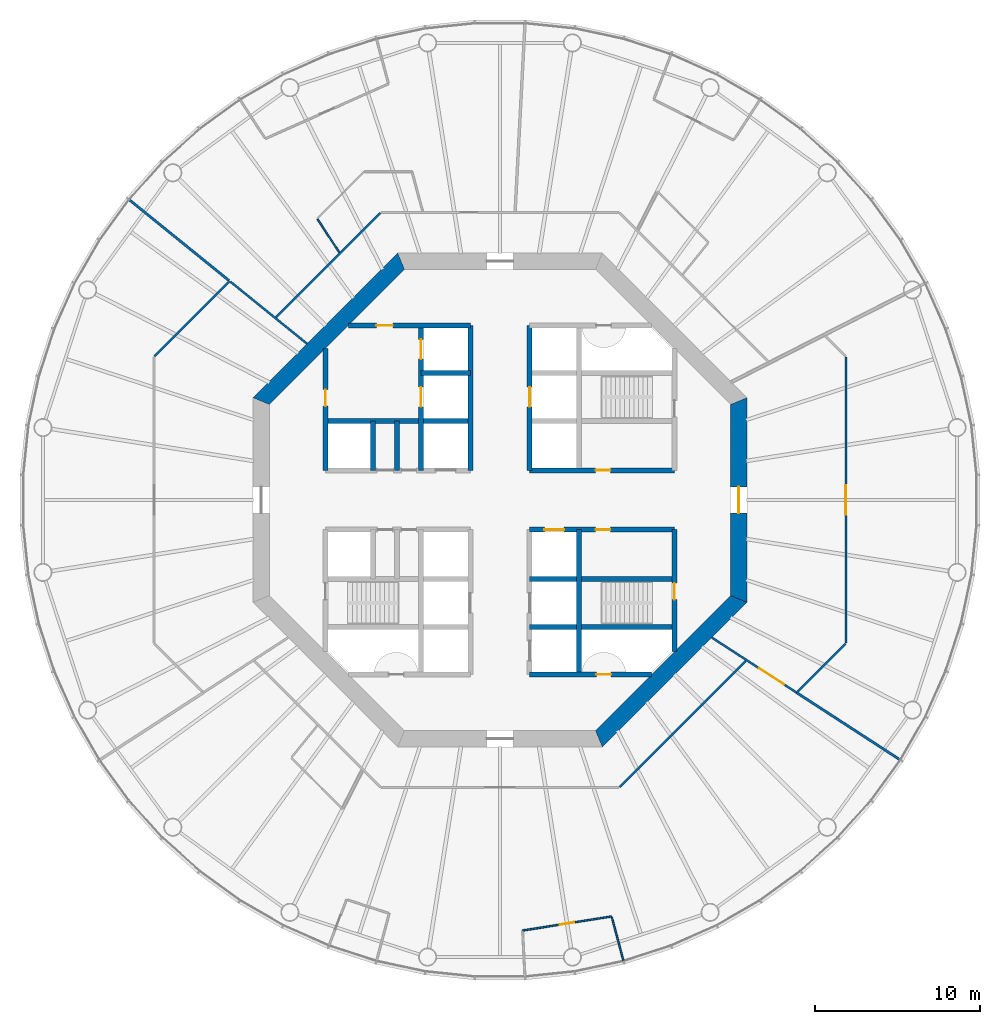
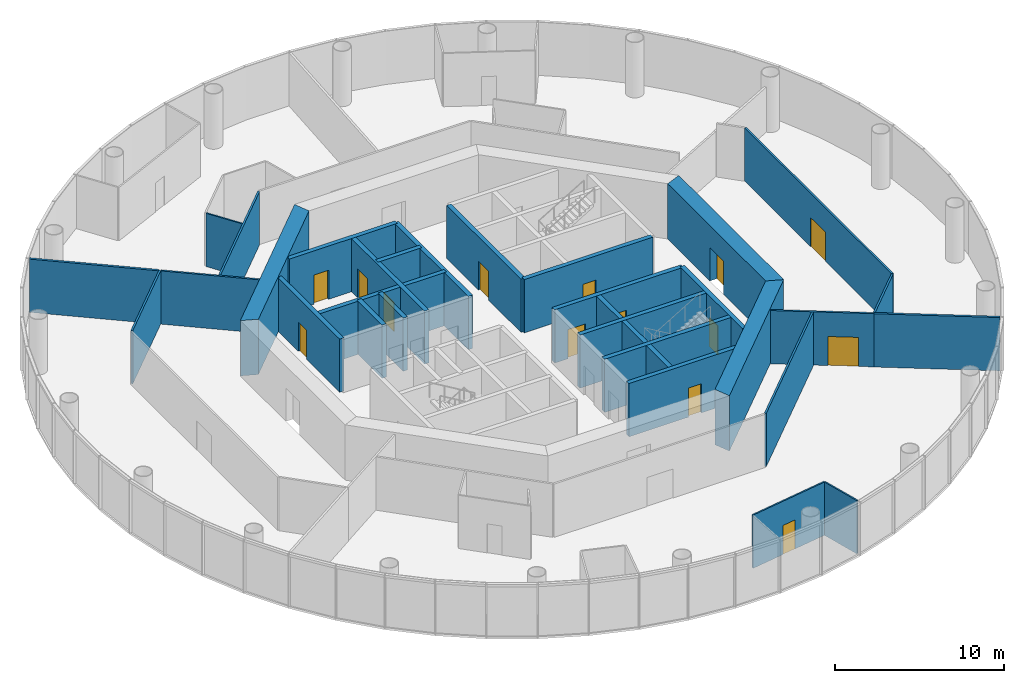
# One storey, part 4 of 13: 31 walls, 14 doors, 14 openings.
"""IFC4 building model written with IfcOpenShell, lengths in metres."""

from ifc_helpers import new_model, si_unit, direction, frame, frame_2d, origin, place, context, subcontext, project, spatial, polyline, rectangle, outline, extrude, material, layer, layer_set, type_object, element, fill, save


model = new_model("IFC4")

# Units and contexts
model_context = context("Model", 3, precision=1e-05, world=origin(), true_north=direction((0.0, 1.0)))
body_context = subcontext(model_context, "Body", "Model", "MODEL_VIEW")
ifc_project = project(units=[si_unit("LENGTHUNIT", "METRE"), si_unit("AREAUNIT", "SQUARE_METRE"), si_unit("VOLUMEUNIT", "CUBIC_METRE"), si_unit("PLANEANGLEUNIT", "RADIAN"), si_unit("MASSUNIT", "GRAM", prefix="KILO")], contexts=[model_context])

# Site, building, storey
site_placement = place(None, origin())
site = spatial("IfcSite", under=ifc_project, at=site_placement, CompositionType="ELEMENT")
building_placement = place(site_placement, origin())
building = spatial("IfcBuilding", under=site, at=building_placement, Name="Entoto Ring Tower", CompositionType="ELEMENT")
storey_placement = place(building_placement, frame((0.0, 0.0, 156.0)))
storey = spatial("IfcBuildingStorey", under=building, at=storey_placement, Name="L35", CompositionType="ELEMENT", Elevation=156.0)

# Wall, opening, door
ifc_material_1 = material(Name="Concrete C40/50", Category="concrete")
ifc_layer_1 = layer(ifc_material_1, 0.300048828125)
ifc_layer_set_1 = layer_set([ifc_layer_1], Name="Concrete C40/50")
wall_type_1 = type_object("IfcWallType", Name="Core enclosure wall 300 mm reinforced concrete", PredefinedType="SOLIDWALL", material=ifc_layer_set_1)
wall_1_placement = place(storey_placement, frame((100.60009765625, 70.801025390625, 0.0), z_axis=(0.0, 0.0, 1.0), x_axis=(0.0, 1.0, 0.0)))
wall_1 = element("IfcWall", 1, at=wall_1_placement, inside=storey, type_object=wall_type_1, Name="wall-L35-001", PredefinedType="SOLIDWALL", context=body_context, shape_type="SweptSolid", body=[
    extrude(rectangle(XDim=7.39892578125, YDim=0.300048828125, at=frame_2d((3.699462890625, 0.0))), origin(), (0.0, 0.0, 1.0), 3.85009765625),
])
opening_1_placement = place(wall_1_placement, frame((3.14892578125, 0.0, 0.0)))
opening_1 = element("IfcOpeningElement", 2, at=opening_1_placement, cuts=wall_1, Name="Opening K-61", PredefinedType="OPENING", context=body_context, shape_type="SweptSolid", body=[
    extrude(rectangle(XDim=1.0, YDim=2.10009765625, at=frame_2d((0.5, 1.050048828125))), frame((0.0, 0.16015625, 0.0), z_axis=(0.0, -1.0, 0.0), x_axis=(1.0, 0.0, 0.0)), (0.0, 0.0, 1.0), 0.320068359375),
])
ifc_material_2 = material(Name="Steel door leaf, fire rated", Category="steel")
ifc_layer_2 = layer(ifc_material_2, 0.050048828125)
ifc_layer_set_2 = layer_set([ifc_layer_2], Name="Steel door leaf, fire rated")
door_type_1 = type_object("IfcDoorType", Name="Fire door FD60 1000 x 2100 single leaf", OperationType="NOTDEFINED", PredefinedType="DOOR", material=ifc_layer_set_2)
door_1_placement = place(opening_1_placement, origin())
door_1 = element("IfcDoor", 3, at=door_1_placement, inside=storey, type_object=door_type_1, Name="Door K-61", OperationType="SINGLE_SWING_RIGHT", OverallHeight=2.10009765625, OverallWidth=1.0, PredefinedType="DOOR", context=body_context, shape_type="SweptSolid", body=[
    extrude(rectangle(XDim=1.0, YDim=2.10009765625, at=frame_2d((0.5, 1.050048828125))), frame((0.0, 0.02490234375, 0.0), z_axis=(0.0, -1.0, 0.0), x_axis=(1.0, 0.0, 0.0)), (0.0, 0.0, 1.0), 0.050048828125),
])
fill(opening_1, door_1)

# Wall
wall_2_placement = place(storey_placement, frame((94.800048828125, 69.39990234375, 0.0), z_axis=(0.0, 0.0, 1.0), x_axis=(0.0, 1.0, 0.0)))
element("IfcWall", 4, at=wall_2_placement, inside=storey, type_object=wall_type_1, Name="wall-L35-003", PredefinedType="SOLIDWALL", context=body_context, shape_type="SweptSolid", body=[
    extrude(rectangle(XDim=8.800048828125, YDim=0.300048828125, at=frame_2d((4.39990234375, 0.0))), origin(), (0.0, 0.0, 1.0), 3.85009765625),
])

# Wall, opening, door
wall_3_placement = place(storey_placement, frame((91.800048828125, 81.800048828125, 0.0), z_axis=(0.0, 0.0, 1.0), x_axis=(0.0, 1.0, 0.0)))
wall_3 = element("IfcWall", 5, at=wall_3_placement, inside=storey, type_object=wall_type_1, Name="wall-L35-006", PredefinedType="SOLIDWALL", context=body_context, shape_type="SweptSolid", body=[
    extrude(rectangle(XDim=8.800048828125, YDim=0.300048828125, at=frame_2d((4.39990234375, 0.0))), origin(), (0.0, 0.0, 1.0), 3.85009765625),
])
opening_2_placement = place(wall_3_placement, frame((3.85009765625, 0.0, 0.0)))
opening_2 = element("IfcOpeningElement", 6, at=opening_2_placement, cuts=wall_3, Name="Opening LD", PredefinedType="OPENING", context=body_context, shape_type="SweptSolid", body=[
    extrude(rectangle(XDim=1.199951171875, YDim=2.10009765625, at=frame_2d((0.60009765625, 1.050048828125))), frame((0.0, 0.16015625, 0.0), z_axis=(0.0, -1.0, 0.0), x_axis=(1.0, 0.0, 0.0)), (0.0, 0.0, 1.0), 0.320068359375),
])
ifc_material_3 = material(Name="Steel and glass door leaf", Category="steel")
ifc_layer_3 = layer(ifc_material_3, 0.050048828125)
ifc_layer_set_3 = layer_set([ifc_layer_3], Name="Steel and glass door leaf")
door_type_2 = type_object("IfcDoorType", Name="Landing door 1200 x 2100 sliding", OperationType="DOUBLE_DOOR_SLIDING", PredefinedType="DOOR", material=ifc_layer_set_3)
door_2_placement = place(opening_2_placement, origin())
door_2 = element("IfcDoor", 7, at=door_2_placement, inside=storey, type_object=door_type_2, Name="Landing door LB1-MR", OperationType="SLIDING_TO_RIGHT", OverallHeight=2.10009765625, OverallWidth=1.199951171875, PredefinedType="DOOR", context=body_context, shape_type="SweptSolid", body=[
    extrude(rectangle(XDim=1.199951171875, YDim=2.10009765625, at=frame_2d((0.60009765625, 1.050048828125))), frame((0.0, 0.02490234375, 0.0), z_axis=(0.0, -1.0, 0.0), x_axis=(1.0, 0.0, 0.0)), (0.0, 0.0, 1.0), 0.050048828125),
])
fill(opening_2, door_2)

# Wall
wall_4_placement = place(storey_placement, frame((88.199951171875, 81.800048828125, 0.0), z_axis=(0.0, 0.0, 1.0), x_axis=(0.0, 1.0, 0.0)))
element("IfcWall", 8, at=wall_4_placement, inside=storey, type_object=wall_type_1, Name="wall-L35-008", PredefinedType="SOLIDWALL", context=body_context, shape_type="SweptSolid", body=[
    extrude(rectangle(XDim=8.800048828125, YDim=0.300048828125, at=frame_2d((4.39990234375, 0.0))), origin(), (0.0, 0.0, 1.0), 3.85009765625),
])

# Wall, openings, doors
wall_5_placement = place(storey_placement, frame((85.199951171875, 81.800048828125, 0.0), z_axis=(0.0, 0.0, 1.0), x_axis=(0.0, 1.0, 0.0)))
wall_5 = element("IfcWall", 9, at=wall_5_placement, inside=storey, type_object=wall_type_1, Name="wall-L35-010", PredefinedType="SOLIDWALL", context=body_context, shape_type="SweptSolid", body=[
    extrude(rectangle(XDim=8.800048828125, YDim=0.300048828125, at=frame_2d((4.39990234375, 0.0))), origin(), (0.0, 0.0, 1.0), 3.85009765625),
])
opening_3_placement = place(wall_5_placement, frame((3.85009765625, 0.0, 0.0)))
opening_3 = element("IfcOpeningElement", 10, at=opening_3_placement, cuts=wall_5, Name="Opening LD", PredefinedType="OPENING", context=body_context, shape_type="SweptSolid", body=[
    extrude(rectangle(XDim=1.199951171875, YDim=2.10009765625, at=frame_2d((0.60009765625, 1.050048828125))), frame((0.0, 0.16015625, 0.0), z_axis=(0.0, -1.0, 0.0), x_axis=(1.0, 0.0, 0.0)), (0.0, 0.0, 1.0), 0.320068359375),
])
opening_4_placement = place(wall_5_placement, frame((6.75, 0.0, 0.0)))
opening_4 = element("IfcOpeningElement", 11, at=opening_4_placement, cuts=wall_5, Name="Opening LD", PredefinedType="OPENING", context=body_context, shape_type="SweptSolid", body=[
    extrude(rectangle(XDim=1.199951171875, YDim=2.10009765625, at=frame_2d((0.60009765625, 1.050048828125))), frame((0.0, 0.16015625, 0.0), z_axis=(0.0, -1.0, 0.0), x_axis=(1.0, 0.0, 0.0)), (0.0, 0.0, 1.0), 0.320068359375),
])
door_3_placement = place(opening_3_placement, origin())
door_3 = element("IfcDoor", 12, at=door_3_placement, inside=storey, type_object=door_type_2, Name="Landing door FF1", OperationType="SLIDING_TO_RIGHT", OverallHeight=2.10009765625, OverallWidth=1.199951171875, PredefinedType="DOOR", context=body_context, shape_type="SweptSolid", body=[
    extrude(rectangle(XDim=1.199951171875, YDim=2.10009765625, at=frame_2d((0.60009765625, 1.050048828125))), frame((0.0, 0.02490234375, 0.0), z_axis=(0.0, -1.0, 0.0), x_axis=(1.0, 0.0, 0.0)), (0.0, 0.0, 1.0), 0.050048828125),
])
fill(opening_3, door_3)
door_4_placement = place(opening_4_placement, origin())
door_4 = element("IfcDoor", 13, at=door_4_placement, inside=storey, type_object=door_type_2, Name="Landing door FF2", OperationType="SLIDING_TO_RIGHT", OverallHeight=2.10009765625, OverallWidth=1.199951171875, PredefinedType="DOOR", context=body_context, shape_type="SweptSolid", body=[
    extrude(rectangle(XDim=1.199951171875, YDim=2.10009765625, at=frame_2d((0.60009765625, 1.050048828125))), frame((0.0, 0.02490234375, 0.0), z_axis=(0.0, -1.0, 0.0), x_axis=(1.0, 0.0, 0.0)), (0.0, 0.0, 1.0), 0.050048828125),
])
fill(opening_4, door_4)

# Walls
for number, where, z_axis, x_axis, name in (
    (14, (83.75, 81.800048828125, 0.0), (0.0, 0.0, 1.0), (0.0, 1.0, 0.0), "wall-L35-012"),
    (15, (82.300048828125, 81.800048828125, 0.0), (0.0, 0.0, 1.0), (0.0, 1.0, 0.0), "wall-L35-014"),
):
    element("IfcWall", number, at=place(storey_placement, frame(where, z_axis=z_axis, x_axis=x_axis)), inside=storey, type_object=wall_type_1, Name=name, PredefinedType="SOLIDWALL", context=body_context, shape_type="SweptSolid", body=[
        extrude(rectangle(XDim=3.0, YDim=0.300048828125, at=frame_2d((1.5, 0.0))), origin(), (0.0, 0.0, 1.0), 3.85009765625),
    ])

# Wall, opening, door
wall_6_placement = place(storey_placement, frame((79.39990234375, 81.800048828125, 0.0), z_axis=(0.0, 0.0, 1.0), x_axis=(0.0, 1.0, 0.0)))
wall_6 = element("IfcWall", 16, at=wall_6_placement, inside=storey, type_object=wall_type_1, Name="wall-L35-016", PredefinedType="SOLIDWALL", context=body_context, shape_type="SweptSolid", body=[
    extrude(rectangle(XDim=7.39892578125, YDim=0.300048828125, at=frame_2d((3.699462890625, 0.0))), origin(), (0.0, 0.0, 1.0), 3.85009765625),
])
opening_5_placement = place(wall_6_placement, frame((3.89990234375, 0.0, 0.0)))
opening_5 = element("IfcOpeningElement", 17, at=opening_5_placement, cuts=wall_6, Name="Opening K-23", PredefinedType="OPENING", context=body_context, shape_type="SweptSolid", body=[
    extrude(rectangle(XDim=1.0, YDim=2.10009765625, at=frame_2d((0.5, 1.050048828125))), frame((0.0, 0.16015625, 0.0), z_axis=(0.0, -1.0, 0.0), x_axis=(1.0, 0.0, 0.0)), (0.0, 0.0, 1.0), 0.320068359375),
])
door_5_placement = place(opening_5_placement, frame((1.0, 0.0, 0.0), z_axis=(0.0, 0.0, 1.0), x_axis=(-1.0, 0.0, 0.0)))
door_5 = element("IfcDoor", 18, at=door_5_placement, inside=storey, type_object=door_type_1, Name="Door K-23", OperationType="SINGLE_SWING_RIGHT", OverallHeight=2.10009765625, OverallWidth=1.0, PredefinedType="DOOR", context=body_context, shape_type="SweptSolid", body=[
    extrude(rectangle(XDim=1.0, YDim=2.10009765625, at=frame_2d((0.5, 1.050048828125))), frame((0.0, 0.02490234375, 0.0), z_axis=(0.0, -1.0, 0.0), x_axis=(1.0, 0.0, 0.0)), (0.0, 0.0, 1.0), 0.050048828125),
])
fill(opening_5, door_5)

wall_7_placement = place(storey_placement, frame((91.800048828125, 69.39990234375, 0.0), z_axis=(0.0, 0.0, 1.0), x_axis=(1.0, 0.0, 0.0)))
wall_7 = element("IfcWall", 19, at=wall_7_placement, inside=storey, type_object=wall_type_1, Name="wall-L35-018", PredefinedType="SOLIDWALL", context=body_context, shape_type="SweptSolid", body=[
    extrude(rectangle(XDim=7.39892578125, YDim=0.300048828125, at=frame_2d((3.699462890625, 0.0))), origin(), (0.0, 0.0, 1.0), 3.85009765625),
])
opening_6_placement = place(wall_7_placement, frame((4.050048828125, 0.0, 0.0)))
opening_6 = element("IfcOpeningElement", 20, at=opening_6_placement, cuts=wall_7, Name="Opening K-68", PredefinedType="OPENING", context=body_context, shape_type="SweptSolid", body=[
    extrude(rectangle(XDim=0.89990234375, YDim=2.10009765625, at=frame_2d((0.449951171875, 1.050048828125))), frame((0.0, 0.16015625, 0.0), z_axis=(0.0, -1.0, 0.0), x_axis=(1.0, 0.0, 0.0)), (0.0, 0.0, 1.0), 0.320068359375),
])
ifc_material_4 = material(Name="Steel door leaf, fire rated", Category="steel")
ifc_layer_4 = layer(ifc_material_4, 0.050048828125)
ifc_layer_set_4 = layer_set([ifc_layer_4], Name="Steel door leaf, fire rated")
door_type_3 = type_object("IfcDoorType", Name="Riser door FD60 900 x 2100 single leaf", OperationType="NOTDEFINED", PredefinedType="DOOR", material=ifc_layer_set_4)
door_6_placement = place(opening_6_placement, origin())
door_6 = element("IfcDoor", 21, at=door_6_placement, inside=storey, type_object=door_type_3, Name="Door K-68", OperationType="SINGLE_SWING_LEFT", OverallHeight=2.10009765625, OverallWidth=0.89990234375, PredefinedType="DOOR", context=body_context, shape_type="SweptSolid", body=[
    extrude(rectangle(XDim=0.89990234375, YDim=2.10009765625, at=frame_2d((0.449951171875, 1.050048828125))), frame((0.0, 0.02490234375, 0.0), z_axis=(0.0, -1.0, 0.0), x_axis=(1.0, 0.0, 0.0)), (0.0, 0.0, 1.0), 0.050048828125),
])
fill(opening_6, door_6)

# Walls
for number, where, z_axis, x_axis, name in (
    (22, (91.800048828125, 72.300048828125, 0.0), (0.0, 0.0, 1.0), (1.0, 0.0, 0.0), "wall-L35-020"),
    (23, (91.800048828125, 75.199951171875, 0.0), (0.0, 0.0, 1.0), (1.0, 0.0, 0.0), "wall-L35-022"),
):
    element("IfcWall", number, at=place(storey_placement, frame(where, z_axis=z_axis, x_axis=x_axis)), inside=storey, type_object=wall_type_1, Name=name, PredefinedType="SOLIDWALL", context=body_context, shape_type="SweptSolid", body=[
        extrude(rectangle(XDim=8.800048828125, YDim=0.300048828125, at=frame_2d((4.39990234375, 0.0))), origin(), (0.0, 0.0, 1.0), 3.85009765625),
    ])

# Wall, openings, doors
wall_8_placement = place(storey_placement, frame((91.800048828125, 78.199951171875, 0.0), z_axis=(0.0, 0.0, 1.0), x_axis=(1.0, 0.0, 0.0)))
wall_8 = element("IfcWall", 24, at=wall_8_placement, inside=storey, type_object=wall_type_1, Name="wall-L35-024", PredefinedType="SOLIDWALL", context=body_context, shape_type="SweptSolid", body=[
    extrude(rectangle(XDim=8.800048828125, YDim=0.300048828125, at=frame_2d((4.39990234375, 0.0))), origin(), (0.0, 0.0, 1.0), 3.85009765625),
])
opening_7_placement = place(wall_8_placement, frame((0.89990234375, 0.0, 0.0)))
opening_7 = element("IfcOpeningElement", 25, at=opening_7_placement, cuts=wall_8, Name="Opening LD", PredefinedType="OPENING", context=body_context, shape_type="SweptSolid", body=[
    extrude(rectangle(XDim=1.199951171875, YDim=2.10009765625, at=frame_2d((0.60009765625, 1.050048828125))), frame((0.0, 0.16015625, 0.0), z_axis=(0.0, -1.0, 0.0), x_axis=(1.0, 0.0, 0.0)), (0.0, 0.0, 1.0), 0.320068359375),
])
opening_8_placement = place(wall_8_placement, frame((4.0, 0.0, 0.0)))
opening_8 = element("IfcOpeningElement", 26, at=opening_8_placement, cuts=wall_8, Name="Opening K-12", PredefinedType="OPENING", context=body_context, shape_type="SweptSolid", body=[
    extrude(rectangle(XDim=0.89990234375, YDim=2.10009765625, at=frame_2d((0.449951171875, 1.050048828125))), frame((0.0, 0.16015625, 0.0), z_axis=(0.0, -1.0, 0.0), x_axis=(1.0, 0.0, 0.0)), (0.0, 0.0, 1.0), 0.320068359375),
])
ifc_material_5 = material(Name="Steel door leaf, fire rated", Category="steel")
ifc_layer_5 = layer(ifc_material_5, 0.050048828125)
ifc_layer_set_5 = layer_set([ifc_layer_5], Name="Steel door leaf, fire rated")
door_type_4 = type_object("IfcDoorType", Name="Core door 900 x 2100 single leaf", OperationType="NOTDEFINED", PredefinedType="DOOR", material=ifc_layer_set_5)
door_7_placement = place(opening_8_placement, frame((0.89990234375, 0.0, 0.0), z_axis=(0.0, 0.0, 1.0), x_axis=(-1.0, 0.0, 0.0)))
door_7 = element("IfcDoor", 27, at=door_7_placement, inside=storey, type_object=door_type_4, Name="Door K-12", OperationType="SINGLE_SWING_RIGHT", OverallHeight=2.10009765625, OverallWidth=0.89990234375, PredefinedType="DOOR", context=body_context, shape_type="SweptSolid", body=[
    extrude(rectangle(XDim=0.89990234375, YDim=2.10009765625, at=frame_2d((0.449951171875, 1.050048828125))), frame((0.0, 0.02490234375, 0.0), z_axis=(0.0, -1.0, 0.0), x_axis=(1.0, 0.0, 0.0)), (0.0, 0.0, 1.0), 0.050048828125),
])
fill(opening_8, door_7)
door_8_placement = place(opening_7_placement, origin())
door_8 = element("IfcDoor", 28, at=door_8_placement, inside=storey, type_object=door_type_2, Name="Landing door LB6-MR", OperationType="SLIDING_TO_LEFT", OverallHeight=2.10009765625, OverallWidth=1.199951171875, PredefinedType="DOOR", context=body_context, shape_type="SweptSolid", body=[
    extrude(rectangle(XDim=1.199951171875, YDim=2.10009765625, at=frame_2d((0.60009765625, 1.050048828125))), frame((0.0, 0.02490234375, 0.0), z_axis=(0.0, -1.0, 0.0), x_axis=(1.0, 0.0, 0.0)), (0.0, 0.0, 1.0), 0.050048828125),
])
fill(opening_7, door_8)

# Wall, opening, door
wall_9_placement = place(storey_placement, frame((91.800048828125, 81.800048828125, 0.0), z_axis=(0.0, 0.0, 1.0), x_axis=(1.0, 0.0, 0.0)))
wall_9 = element("IfcWall", 29, at=wall_9_placement, inside=storey, type_object=wall_type_1, Name="wall-L35-026", PredefinedType="SOLIDWALL", context=body_context, shape_type="SweptSolid", body=[
    extrude(rectangle(XDim=8.800048828125, YDim=0.300048828125, at=frame_2d((4.39990234375, 0.0))), origin(), (0.0, 0.0, 1.0), 3.85009765625),
])
opening_9_placement = place(wall_9_placement, frame((4.0, 0.0, 0.0)))
opening_9 = element("IfcOpeningElement", 30, at=opening_9_placement, cuts=wall_9, Name="Opening K-11", PredefinedType="OPENING", context=body_context, shape_type="SweptSolid", body=[
    extrude(rectangle(XDim=0.89990234375, YDim=2.10009765625, at=frame_2d((0.449951171875, 1.050048828125))), frame((0.0, 0.16015625, 0.0), z_axis=(0.0, -1.0, 0.0), x_axis=(1.0, 0.0, 0.0)), (0.0, 0.0, 1.0), 0.320068359375),
])
door_9_placement = place(opening_9_placement, origin())
door_9 = element("IfcDoor", 31, at=door_9_placement, inside=storey, type_object=door_type_4, Name="Door K-11", OperationType="SINGLE_SWING_LEFT", OverallHeight=2.10009765625, OverallWidth=0.89990234375, PredefinedType="DOOR", context=body_context, shape_type="SweptSolid", body=[
    extrude(rectangle(XDim=0.89990234375, YDim=2.10009765625, at=frame_2d((0.449951171875, 1.050048828125))), frame((0.0, 0.02490234375, 0.0), z_axis=(0.0, -1.0, 0.0), x_axis=(1.0, 0.0, 0.0)), (0.0, 0.0, 1.0), 0.050048828125),
])
fill(opening_9, door_9)

# Walls
wall_10_placement = place(storey_placement, frame((79.39990234375, 84.800048828125, 0.0), z_axis=(0.0, 0.0, 1.0), x_axis=(1.0, 0.0, 0.0)))
element("IfcWall", 32, at=wall_10_placement, inside=storey, type_object=wall_type_1, Name="wall-L35-027", PredefinedType="SOLIDWALL", context=body_context, shape_type="SweptSolid", body=[
    extrude(rectangle(XDim=8.800048828125, YDim=0.300048828125, at=frame_2d((4.39990234375, 0.0))), origin(), (0.0, 0.0, 1.0), 3.85009765625),
])
wall_11_placement = place(storey_placement, frame((85.199951171875, 87.699951171875, 0.0), z_axis=(0.0, 0.0, 1.0), x_axis=(1.0, 0.0, 0.0)))
element("IfcWall", 33, at=wall_11_placement, inside=storey, type_object=wall_type_1, Name="wall-L35-029", PredefinedType="SOLIDWALL", context=body_context, shape_type="SweptSolid", body=[
    extrude(rectangle(XDim=3.0, YDim=0.300048828125, at=frame_2d((1.5, 0.0))), origin(), (0.0, 0.0, 1.0), 3.85009765625),
])

# Wall, opening, door
wall_12_placement = place(storey_placement, frame((80.801025390625, 90.60009765625, 0.0), z_axis=(0.0, 0.0, 1.0), x_axis=(1.0, 0.0, 0.0)))
wall_12 = element("IfcWall", 34, at=wall_12_placement, inside=storey, type_object=wall_type_1, Name="wall-L35-031", PredefinedType="SOLIDWALL", context=body_context, shape_type="SweptSolid", body=[
    extrude(rectangle(XDim=7.39892578125, YDim=0.300048828125, at=frame_2d((3.699462890625, 0.0))), origin(), (0.0, 0.0, 1.0), 3.85009765625),
])
opening_10_placement = place(wall_12_placement, frame((1.698974609375, 0.0, 0.0)))
opening_10 = element("IfcOpeningElement", 35, at=opening_10_placement, cuts=wall_12, Name="Opening K-73", PredefinedType="OPENING", context=body_context, shape_type="SweptSolid", body=[
    extrude(rectangle(XDim=1.0, YDim=2.10009765625, at=frame_2d((0.5, 1.050048828125))), frame((0.0, 0.16015625, 0.0), z_axis=(0.0, -1.0, 0.0), x_axis=(1.0, 0.0, 0.0)), (0.0, 0.0, 1.0), 0.320068359375),
])
door_10_placement = place(opening_10_placement, frame((1.0, 0.0, 0.0), z_axis=(0.0, 0.0, 1.0), x_axis=(-1.0, 0.0, 0.0)))
door_10 = element("IfcDoor", 36, at=door_10_placement, inside=storey, type_object=door_type_1, Name="Door K-73", OperationType="SINGLE_SWING_LEFT", OverallHeight=2.10009765625, OverallWidth=1.0, PredefinedType="DOOR", context=body_context, shape_type="SweptSolid", body=[
    extrude(rectangle(XDim=1.0, YDim=2.10009765625, at=frame_2d((0.5, 1.050048828125))), frame((0.0, 0.02490234375, 0.0), z_axis=(0.0, -1.0, 0.0), x_axis=(1.0, 0.0, 0.0)), (0.0, 0.0, 1.0), 0.050048828125),
])
fill(opening_10, door_10)

ifc_material_6 = material(Name="Concrete C50/60", Category="concrete")
ifc_layer_6 = layer(ifc_material_6, 1.0)
ifc_layer_set_6 = layer_set([ifc_layer_6], Name="Concrete C50/60")
wall_type_2 = type_object("IfcWallType", Name="Core shear wall 1000 mm reinforced concrete C50/60", PredefinedType="SHEAR", material=ifc_layer_set_6)
wall_13_placement = place(storey_placement, frame((104.5, 73.993896484375, 0.0), z_axis=(0.0, 0.0, 1.0), x_axis=(0.0, 1.0, 0.0)))
wall_13 = element("IfcWall", 37, at=wall_13_placement, inside=storey, type_object=wall_type_2, Name="wall-L35-core-0", PredefinedType="SHEAR", context=body_context, shape_type="SweptSolid", body=[
    extrude(outline(polyline([(-0.20703125, -0.5), (12.21923828125, -0.5), (11.80517578125, 0.5), (0.20703125, 0.5), (-0.20703125, -0.5)])), origin(), (0.0, 0.0, 1.0), 4.0),
])
opening_11_placement = place(wall_13_placement, frame((5.2060546875, 0.0, 0.0)))
opening_11 = element("IfcOpeningElement", 38, at=opening_11_placement, cuts=wall_13, Name="Opening K-01", PredefinedType="OPENING", context=body_context, shape_type="SweptSolid", body=[
    extrude(rectangle(XDim=1.60009765625, YDim=2.39990234375, at=frame_2d((0.800048828125, 1.199951171875))), frame((0.0, 0.510009765625, 0.0), z_axis=(0.0, -1.0, 0.0), x_axis=(1.0, 0.0, 0.0)), (0.0, 0.0, 1.0), 1.02001953125),
])
ifc_material_7 = material(Name="Steel door leaf, fire rated", Category="steel")
ifc_layer_7 = layer(ifc_material_7, 0.050048828125)
ifc_layer_set_7 = layer_set([ifc_layer_7], Name="Steel door leaf, fire rated")
door_type_5 = type_object("IfcDoorType", Name="Entrance door FD60 1600 x 2400 double leaf", OperationType="DOUBLE_DOOR_SINGLE_SWING", PredefinedType="DOOR", material=ifc_layer_set_7)
door_11_placement = place(opening_11_placement, origin())
door_11 = element("IfcDoor", 39, at=door_11_placement, inside=storey, type_object=door_type_5, Name="Entrance door K-01", OperationType="DOUBLE_DOOR_SINGLE_SWING", OverallHeight=2.39990234375, OverallWidth=1.60009765625, PredefinedType="DOOR", context=body_context, shape_type="SweptSolid", body=[
    extrude(rectangle(XDim=1.60009765625, YDim=2.39990234375, at=frame_2d((0.800048828125, 1.199951171875))), frame((0.0, 0.02490234375, 0.0), z_axis=(0.0, -1.0, 0.0), x_axis=(1.0, 0.0, 0.0)), (0.0, 0.0, 1.0), 0.050048828125),
])
fill(opening_11, door_11)

# Walls
for number, where, z_axis, x_axis, name in (
    (40, (83.993896484375, 94.5, 0.0), (0.0, 0.0, 1.0), (-0.707106781187, -0.707106781187, 0.0), "wall-L35-core-3"),
    (41, (96.006103515625, 65.5, 0.0), (0.0, 0.0, 1.0), (0.707106781187, 0.707106781187, 0.0), "wall-L35-core-7"),
):
    element("IfcWall", number, at=place(storey_placement, frame(where, z_axis=z_axis, x_axis=x_axis)), inside=storey, type_object=wall_type_2, Name=name, PredefinedType="SHEAR", context=body_context, shape_type="SweptSolid", body=[
        extrude(outline(polyline([(-0.20703125, -0.5), (12.21923828125, -0.5), (11.80517578125, 0.5), (0.20703125, 0.5), (-0.20703125, -0.5)])), origin(), (0.0, 0.0, 1.0), 4.0),
    ])

# Wall, opening, door
ifc_material_8 = material(Name="Fire-resisting plasterboard on steel studs", Category="steel")
ifc_layer_8 = layer(ifc_material_8, 0.125)
ifc_layer_set_8 = layer_set([ifc_layer_8], Name="Fire-resisting plasterboard on steel studs")
wall_type_3 = type_object("IfcWallType", Name="Corridor wall 125 mm one-hour plasterboard on steel studs", PredefinedType="PARTITIONING", material=ifc_layer_set_8)
wall_14_placement = place(storey_placement, frame((111.0, 71.301513671875, 0.0), z_axis=(0.0, 0.0, 1.0), x_axis=(0.0, 1.0, 0.0)))
wall_14 = element("IfcWall", 42, at=wall_14_placement, inside=storey, type_object=wall_type_3, Name="partition-L35-002", PredefinedType="PARTITIONING", context=body_context, shape_type="SweptSolid", body=[
    extrude(rectangle(XDim=17.39697265625, YDim=0.125, at=frame_2d((8.698486328125, 0.0))), origin(), (0.0, 0.0, 1.0), 3.85009765625),
])
opening_12_placement = place(wall_14_placement, frame((7.798583984375, 0.0, 0.0)))
opening_12 = element("IfcOpeningElement", 43, at=opening_12_placement, cuts=wall_14, Name="Opening A16-D01", PredefinedType="OPENING", context=body_context, shape_type="SweptSolid", body=[
    extrude(rectangle(XDim=1.800048828125, YDim=2.10009765625, at=frame_2d((0.89990234375, 1.050048828125))), frame((0.0, 0.072509765625, 0.0), z_axis=(0.0, -1.0, 0.0), x_axis=(1.0, 0.0, 0.0)), (0.0, 0.0, 1.0), 0.14501953125),
])
ifc_material_9 = material(Name="Fire-resisting timber door set", Category="wood")
door_type_6 = type_object("IfcDoorType", Name="Door 1800 x 2100 double leaf FD30S fire door", OperationType="DOUBLE_DOOR_SINGLE_SWING", PredefinedType="DOOR", material=ifc_material_9)
door_12_placement = place(opening_12_placement, frame((1.800048828125, 0.0, 0.0), z_axis=(0.0, 0.0, 1.0), x_axis=(-1.0, 0.0, 0.0)))
door_12 = element("IfcDoor", 44, at=door_12_placement, inside=storey, type_object=door_type_6, Name="Door A16-D01", OperationType="DOUBLE_DOOR_SINGLE_SWING", OverallHeight=2.10009765625, OverallWidth=1.800048828125, PredefinedType="DOOR", context=body_context, shape_type="SweptSolid", body=[
    extrude(rectangle(XDim=1.800048828125, YDim=2.10009765625, at=frame_2d((0.89990234375, 1.050048828125))), frame((0.0, 0.02490234375, 0.0), z_axis=(0.0, -1.0, 0.0), x_axis=(1.0, 0.0, 0.0)), (0.0, 0.0, 1.0), 0.050048828125),
])
fill(opening_12, door_12)

# Walls
wall_15_placement = place(storey_placement, frame((97.264404296875, 62.568603515625, 0.0), z_axis=(0.0, 0.0, 1.0), x_axis=(0.707095503297, 0.707118058897, 0.0)))
element("IfcWall", 45, at=wall_15_placement, inside=storey, type_object=wall_type_3, Name="partition-L35-007", PredefinedType="PARTITIONING", context=body_context, shape_type="SweptSolid", body=[
    extrude(rectangle(XDim=10.823974609375, YDim=0.125, at=frame_2d((5.412109375, 0.0))), origin(), (0.0, 0.0, 1.0), 3.85009765625),
])
wall_16_placement = place(storey_placement, frame((76.4033203125, 91.09912109375, 0.0), z_axis=(0.0, 0.0, 1.0), x_axis=(0.707106781187, 0.707106781187, 0.0)))
element("IfcWall", 46, at=wall_16_placement, inside=storey, type_object=wall_type_3, Name="partition-L35-008", PredefinedType="PARTITIONING", context=body_context, shape_type="SweptSolid", body=[
    extrude(rectangle(XDim=8.955078125, YDim=0.125, at=frame_2d((4.4775390625, 0.0))), origin(), (0.0, 0.0, 1.0), 3.85009765625),
])
wall_17_placement = place(storey_placement, frame((69.031005859375, 88.7294921875, 0.0), z_axis=(0.0, 0.0, 1.0), x_axis=(0.707106781187, 0.707106781187, 0.0)))
element("IfcWall", 47, at=wall_17_placement, inside=storey, type_object=wall_type_3, Name="partition-L35-009", PredefinedType="PARTITIONING", context=body_context, shape_type="SweptSolid", body=[
    extrude(rectangle(XDim=6.447509765625, YDim=0.125, at=frame_2d((3.2236328125, 0.0))), origin(), (0.0, 0.0, 1.0), 3.85009765625),
])

# Wall, opening, door
wall_18_placement = place(storey_placement, frame((108.005615234375, 68.306884765625, 0.0), z_axis=(0.0, 0.0, 1.0), x_axis=(-0.838658147636, 0.544658160137, 0.0)))
wall_18 = element("IfcWall", 48, at=wall_18_placement, inside=storey, type_object=wall_type_3, Name="partition-L35-012", PredefinedType="PARTITIONING", context=body_context, shape_type="SweptSolid", body=[
    extrude(rectangle(XDim=6.13427734375, YDim=0.125, at=frame_2d((3.067138671875, 0.0))), origin(), (0.0, 0.0, 1.0), 3.85009765625),
])
opening_13_placement = place(wall_18_placement, frame((0.908447265625, 0.0, 0.0)))
opening_13 = element("IfcOpeningElement", 49, at=opening_13_placement, cuts=wall_18, Name="Opening A16-D10", PredefinedType="OPENING", context=body_context, shape_type="SweptSolid", body=[
    extrude(rectangle(XDim=1.800048828125, YDim=2.10009765625, at=frame_2d((0.89990234375, 1.050048828125))), frame((0.0, 0.072509765625, 0.0), z_axis=(0.0, -1.0, 0.0), x_axis=(1.0, 0.0, 0.0)), (0.0, 0.0, 1.0), 0.14501953125),
])
door_13_placement = place(opening_13_placement, frame((1.800048828125, 0.0, 0.0), z_axis=(0.0, 0.0, 1.0), x_axis=(-1.0, 0.0, 0.0)))
door_13 = element("IfcDoor", 50, at=door_13_placement, inside=storey, type_object=door_type_6, Name="Door A16-D10", OperationType="DOUBLE_DOOR_SINGLE_SWING", OverallHeight=2.10009765625, OverallWidth=1.800048828125, PredefinedType="DOOR", context=body_context, shape_type="SweptSolid", body=[
    extrude(rectangle(XDim=1.800048828125, YDim=2.10009765625, at=frame_2d((0.89990234375, 1.050048828125))), frame((0.0, 0.02490234375, 0.0), z_axis=(0.0, -1.0, 0.0), x_axis=(1.0, 0.0, 0.0)), (0.0, 0.0, 1.0), 0.050048828125),
])
fill(opening_13, door_13)

# Walls
wall_19_placement = place(storey_placement, frame((78.278564453125, 89.49169921875, 0.0), z_axis=(0.0, 0.0, 1.0), x_axis=(-0.777137265192, 0.629331129891, 0.0)))
element("IfcWall", 51, at=wall_19_placement, inside=storey, type_object=wall_type_3, Name="partition-L35-013", PredefinedType="PARTITIONING", context=body_context, shape_type="SweptSolid", body=[
    extrude(rectangle(XDim=5.97119140625, YDim=0.125, at=frame_2d((2.985595703125, 0.0))), origin(), (0.0, 0.0, 1.0), 3.85009765625),
])
wall_20_placement = place(storey_placement, frame((108.069091796875, 68.37060546875, 0.0), z_axis=(0.0, 0.0, 1.0), x_axis=(0.707106781187, 0.707106781187, 0.0)))
element("IfcWall", 52, at=wall_20_placement, inside=storey, type_object=wall_type_3, Name="partition-L35-015", PredefinedType="PARTITIONING", context=body_context, shape_type="SweptSolid", body=[
    extrude(rectangle(XDim=4.10107421875, YDim=0.125, at=frame_2d((2.050537109375, 0.0))), origin(), (0.0, 0.0, 1.0), 3.85009765625),
])

# Wall, opening, door
ifc_material_10 = material(Name="Plasterboard on steel studs", Category="steel")
ifc_layer_9 = layer(ifc_material_10, 0.10009765625)
ifc_layer_set_9 = layer_set([ifc_layer_9], Name="Plasterboard on steel studs")
wall_type_4 = type_object("IfcWallType", Name="Partition 100 mm plasterboard on steel studs", PredefinedType="PARTITIONING", material=ifc_layer_set_9)
wall_21_placement = place(storey_placement, frame((91.3701171875, 53.85595703125, 0.0), z_axis=(0.0, 0.0, 1.0), x_axis=(0.987687984114, 0.156436715757, 0.0)))
wall_21 = element("IfcWall", 53, at=wall_21_placement, inside=storey, type_object=wall_type_4, Name="partition-L35-023", PredefinedType="PARTITIONING", context=body_context, shape_type="SweptSolid", body=[
    extrude(rectangle(XDim=5.47314453125, YDim=0.10009765625, at=frame_2d((2.736572265625, 0.0))), origin(), (0.0, 0.0, 1.0), 3.85009765625),
])
opening_14_placement = place(wall_21_placement, frame((2.28662109375, 0.0, 0.0)))
opening_14 = element("IfcOpeningElement", 54, at=opening_14_placement, cuts=wall_21, Name="Opening A16-D13", PredefinedType="OPENING", context=body_context, shape_type="SweptSolid", body=[
    extrude(rectangle(XDim=0.89990234375, YDim=2.10009765625, at=frame_2d((0.449951171875, 1.050048828125))), frame((0.0, 0.06005859375, 0.0), z_axis=(0.0, -1.0, 0.0), x_axis=(1.0, 0.0, 0.0)), (0.0, 0.0, 1.0), 0.1201171875),
])
ifc_material_11 = material(Name="Veneered timber door leaf in timber frame", Category="wood")
door_type_7 = type_object("IfcDoorType", Name="Door 900 x 2100 single leaf timber veneer", OperationType="NOTDEFINED", PredefinedType="DOOR", material=ifc_material_11)
door_14_placement = place(opening_14_placement, frame((0.89990234375, 0.0, 0.0), z_axis=(0.0, 0.0, 1.0), x_axis=(-1.0, 0.0, 0.0)))
door_14 = element("IfcDoor", 55, at=door_14_placement, inside=storey, type_object=door_type_7, Name="Door A16-D13", OperationType="SINGLE_SWING_LEFT", OverallHeight=2.10009765625, OverallWidth=0.89990234375, PredefinedType="DOOR", context=body_context, shape_type="SweptSolid", body=[
    extrude(rectangle(XDim=0.89990234375, YDim=2.10009765625, at=frame_2d((0.449951171875, 1.050048828125))), frame((0.0, 0.02490234375, 0.0), z_axis=(0.0, -1.0, 0.0), x_axis=(1.0, 0.0, 0.0)), (0.0, 0.0, 1.0), 0.050048828125),
])
fill(opening_14, door_14)

# Walls
wall_22_placement = place(storey_placement, frame((97.490234375, 52.046142578125, 0.0), z_axis=(0.0, 0.0, 1.0), x_axis=(-0.258800622967, 0.965930762297, 0.0)))
element("IfcWall", 56, at=wall_22_placement, inside=storey, type_object=wall_type_4, Name="partition-L35-036", PredefinedType="PARTITIONING", context=body_context, shape_type="SweptSolid", body=[
    extrude(rectangle(XDim=2.710205078125, YDim=0.10009765625, at=frame_2d((1.35498046875, 0.0))), origin(), (0.0, 0.0, 1.0), 3.85009765625),
])
wall_23_placement = place(storey_placement, frame((80.236083984375, 95.034912109375, 0.0), z_axis=(0.0, 0.0, 1.0), x_axis=(-0.544620299585, 0.838682734579, 0.0)))
element("IfcWall", 57, at=wall_23_placement, inside=storey, type_object=wall_type_4, Name="partition-L35-043", PredefinedType="PARTITIONING", context=body_context, shape_type="SweptSolid", body=[
    extrude(rectangle(XDim=2.40185546875, YDim=0.10009765625, at=frame_2d((1.200927734375, 0.0))), origin(), (0.0, 0.0, 1.0), 3.85009765625),
])
ifc_material_12 = material(Name="Fire-resisting acoustic plasterboard on steel studs", Category="steel")
ifc_layer_10 = layer(ifc_material_12, 0.14990234375)
ifc_layer_set_10 = layer_set([ifc_layer_10], Name="Fire-resisting acoustic plasterboard on steel studs")
wall_type_5 = type_object("IfcWallType", Name="Party wall 150 mm one-hour acoustic plasterboard on steel studs", PredefinedType="PARTITIONING", material=ifc_layer_set_10)
wall_24_placement = place(storey_placement, frame((73.53515625, 93.3330078125, 0.0), z_axis=(0.0, 0.0, 1.0), x_axis=(-0.777150269137, 0.629315071471, 0.0)))
element("IfcWall", 58, at=wall_24_placement, inside=storey, type_object=wall_type_5, Name="partition-L35-018", PredefinedType="PARTITIONING", context=body_context, shape_type="SweptSolid", body=[
    extrude(rectangle(XDim=7.75341796875, YDim=0.14990234375, at=frame_2d((3.876708984375, 0.0))), origin(), (0.0, 0.0, 1.0), 3.85009765625),
])
wall_25_placement = place(storey_placement, frame((114.27099609375, 64.238037109375, 0.0), z_axis=(0.0, 0.0, 1.0), x_axis=(-0.838666792269, 0.544644849003, 0.0)))
element("IfcWall", 59, at=wall_25_placement, inside=storey, type_object=wall_type_5, Name="partition-L35-020", PredefinedType="PARTITIONING", context=body_context, shape_type="SweptSolid", body=[
    extrude(rectangle(XDim=7.470703125, YDim=0.14990234375, at=frame_2d((3.7353515625, 0.0))), origin(), (0.0, 0.0, 1.0), 3.85009765625),
])

save(model, "model.ifc")
